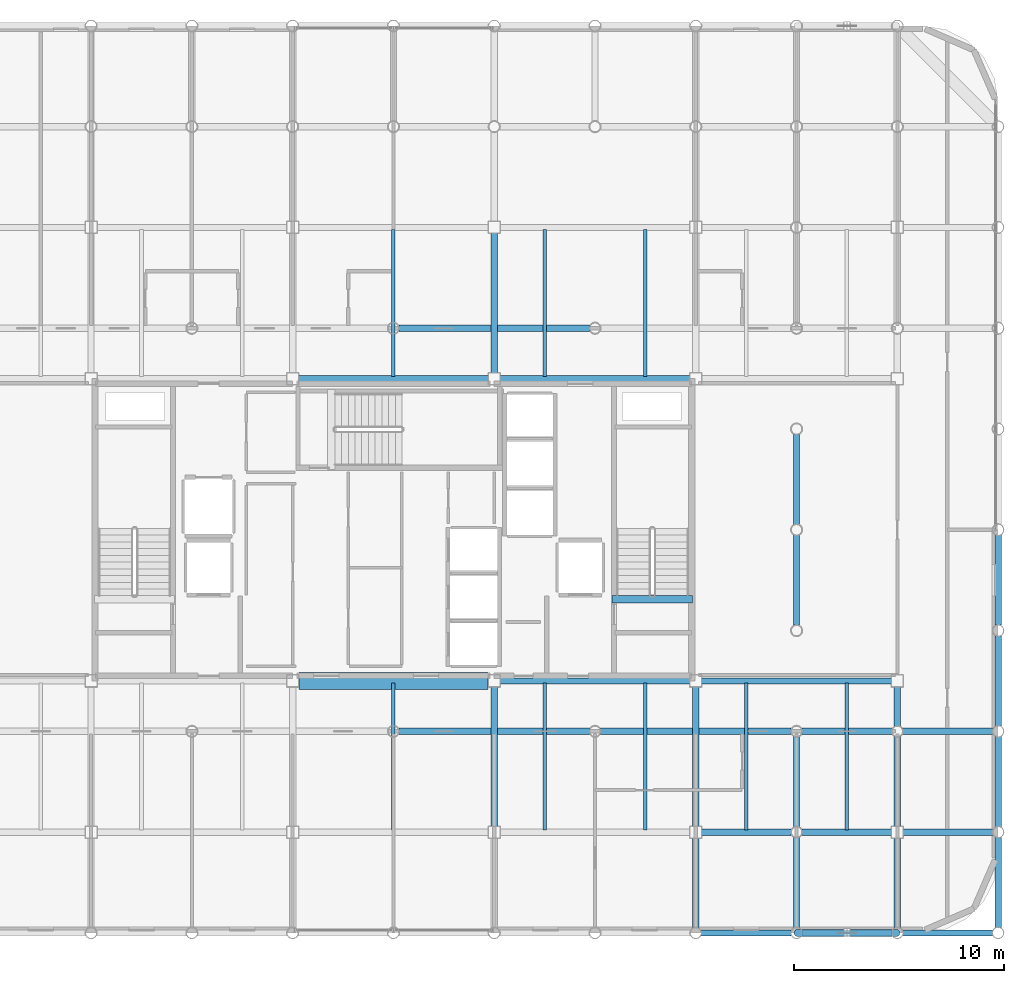
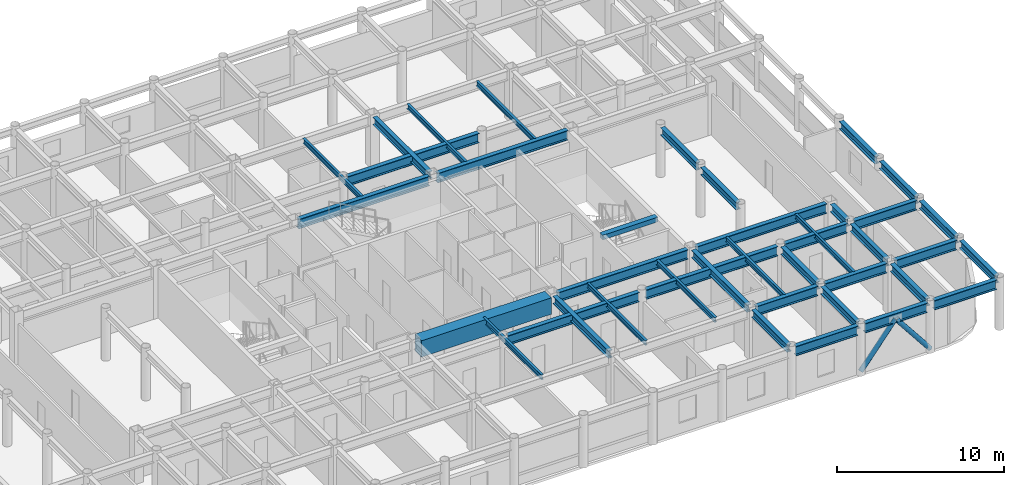
# One storey, part 9 of 22: 40 beams, 2 members.
"""IFC4 building model written with IfcOpenShell, lengths in metres."""

from ifc_helpers import new_model, si_unit, direction, frame, origin, origin_2d, place, context, subcontext, project, spatial, rectangle, hollow_circle, i_section, extrude, material, material_profile, profile_set, type_object, element, save


model = new_model("IFC4")

# Units and contexts
model_context = context("Model", 3, precision=1e-05, world=origin(), true_north=direction((0.0, 1.0)))
body_context = subcontext(model_context, "Body", "Model", "MODEL_VIEW")
ifc_project = project(units=[si_unit("LENGTHUNIT", "METRE"), si_unit("AREAUNIT", "SQUARE_METRE"), si_unit("VOLUMEUNIT", "CUBIC_METRE"), si_unit("PLANEANGLEUNIT", "RADIAN"), si_unit("MASSUNIT", "GRAM", prefix="KILO")], contexts=[model_context])

# Site, building, storey
site_placement = place(None, origin())
site = spatial("IfcSite", under=ifc_project, at=site_placement, CompositionType="ELEMENT")
building_placement = place(site_placement, origin())
building = spatial("IfcBuilding", under=site, at=building_placement, Name="Kallvorn Hotel Tower", CompositionType="ELEMENT")
storey_placement = place(building_placement, frame((0.0, 0.0, 256.949951171875)))
storey = spatial("IfcBuildingStorey", under=building, at=storey_placement, Name="L64", CompositionType="ELEMENT", Elevation=256.949951171875)

# Beams
ifc_material_1 = material(Name="Structural steel S355JR", Category="steel")
ifc_material_profile_1 = material_profile(ifc_material_1, i_section(OverallWidth=0.300048828125, OverallDepth=0.550048828125, WebThickness=0.014892578125, FlangeThickness=0.029052734375, at=origin_2d()), Name="HE 550 B")
ifc_profile_set_1 = profile_set([ifc_material_profile_1], Name="Structural steel S355JR")
beam_type_1 = type_object("IfcBeamType", Name="BM_HE550B", PredefinedType="SPANDREL", material=ifc_profile_set_1)
for number, where, z_axis, x_axis, name in (
    (1, (4.800048828125, -14.125, 3.39501953125), (0.0, 1.0, 0.0), (-1.0, 0.0, 0.0), "L65 Primary Y-Girder 115"),
    (2, (4.800048828125, 7.47509765625, 3.39501953125), (0.0, 1.0, 0.0), (-1.0, 0.0, 0.0), "L65 Primary Y-Girder 116"),
):
    element("IfcBeam", number, at=place(storey_placement, frame(where, z_axis=z_axis, x_axis=x_axis)), inside=storey, type_object=beam_type_1, Name=name, PredefinedType="SPANDREL", context=body_context, shape_type="SweptSolid", body=[
        extrude(i_section(OverallWidth=0.300048828125, OverallDepth=0.550048828125, WebThickness=0.014892578125, FlangeThickness=0.029052734375, at=origin_2d()), origin(), (0.0, 0.0, 1.0), 6.64990234375),
    ])
beam_1_placement = place(storey_placement, frame((14.39990234375, -18.945556640625, 3.39501953125), z_axis=(0.0, 1.0, 0.0), x_axis=(-1.0, 0.0, 0.0)))
element("IfcBeam", 3, at=beam_1_placement, inside=storey, type_object=beam_type_1, Name="L65 Primary Y-Girder 122", PredefinedType="SPANDREL", context=body_context, shape_type="SweptSolid", body=[
    extrude(i_section(OverallWidth=0.300048828125, OverallDepth=0.550048828125, WebThickness=0.014892578125, FlangeThickness=0.029052734375, at=origin_2d()), origin(), (0.0, 0.0, 1.0), 4.2705078125),
])
beam_2_placement = place(storey_placement, frame((14.39990234375, -14.125, 3.39501953125), z_axis=(0.0, 1.0, 0.0), x_axis=(-1.0, 0.0, 0.0)))
element("IfcBeam", 4, at=beam_2_placement, inside=storey, type_object=beam_type_1, Name="L65 Primary Y-Girder 123", PredefinedType="SPANDREL", context=body_context, shape_type="SweptSolid", body=[
    extrude(i_section(OverallWidth=0.300048828125, OverallDepth=0.550048828125, WebThickness=0.014892578125, FlangeThickness=0.029052734375, at=origin_2d()), origin(), (0.0, 0.0, 1.0), 6.64990234375),
])
for number, where, z_axis, x_axis, name in (
    (5, (19.199951171875, -18.945556640625, 3.39501953125), (0.0, 1.0, 0.0), (-1.0, 0.0, 0.0), "L65 Primary Y-Girder 127"),
    (6, (19.199951171875, -14.1455078125, 3.39501953125), (0.0, 1.0, 0.0), (-1.0, 0.0, 0.0), "L65 Primary Y-Girder 128"),
    (7, (19.199951171875, -4.54541015625, 3.39501953125), (0.0, 1.0, 0.0), (-1.0, 0.0, 0.0), "L65 Primary Y-Girder 130"),
    (8, (19.199951171875, 0.25439453125, 3.39501953125), (0.0, 1.0, 0.0), (-1.0, 0.0, 0.0), "L65 Primary Y-Girder 131"),
):
    element("IfcBeam", number, at=place(storey_placement, frame(where, z_axis=z_axis, x_axis=x_axis)), inside=storey, type_object=beam_type_1, Name=name, PredefinedType="SPANDREL", context=body_context, shape_type="SweptSolid", body=[
        extrude(i_section(OverallWidth=0.300048828125, OverallDepth=0.550048828125, WebThickness=0.014892578125, FlangeThickness=0.029052734375, at=origin_2d()), origin(), (0.0, 0.0, 1.0), 4.291015625),
    ])
for number, where, z_axis, x_axis, name in (
    (9, (24.0, -18.945556640625, 3.39501953125), (0.0, 1.0, 0.0), (-1.0, 0.0, 0.0), "L65 Primary Y-Girder 136"),
    (10, (24.0, -14.125, 3.39501953125), (0.0, 1.0, 0.0), (-1.0, 0.0, 0.0), "L65 Primary Y-Girder 137"),
):
    element("IfcBeam", number, at=place(storey_placement, frame(where, z_axis=z_axis, x_axis=x_axis)), inside=storey, type_object=beam_type_1, Name=name, PredefinedType="SPANDREL", context=body_context, shape_type="SweptSolid", body=[
        extrude(i_section(OverallWidth=0.300048828125, OverallDepth=0.550048828125, WebThickness=0.014892578125, FlangeThickness=0.029052734375, at=origin_2d()), origin(), (0.0, 0.0, 1.0), 4.2705078125),
    ])
beam_3_placement = place(storey_placement, frame((24.0, -9.345458984375, 3.39501953125), z_axis=(0.0, 1.0, 0.0), x_axis=(-1.0, 0.0, 0.0)))
element("IfcBeam", 11, at=beam_3_placement, inside=storey, type_object=beam_type_1, Name="L65 Primary Y-Girder 138", PredefinedType="SPANDREL", context=body_context, shape_type="SweptSolid", body=[
    extrude(i_section(OverallWidth=0.300048828125, OverallDepth=0.550048828125, WebThickness=0.014892578125, FlangeThickness=0.029052734375, at=origin_2d()), origin(), (0.0, 0.0, 1.0), 1.870361328125),
])
for number, where, z_axis, x_axis, name in (
    (12, (28.800048828125, -18.945556640625, 3.39501953125), (0.0, 1.0, 0.0), (-1.0, 0.0, 0.0), "L65 Primary Y-Girder 143"),
    (13, (28.800048828125, -14.1455078125, 3.39501953125), (0.0, 1.0, 0.0), (-1.0, 0.0, 0.0), "L65 Primary Y-Girder 144"),
    (14, (28.800048828125, -9.345458984375, 3.39501953125), (0.0, 1.0, 0.0), (-1.0, 0.0, 0.0), "L65 Primary Y-Girder 145"),
    (15, (28.800048828125, -4.54541015625, 3.39501953125), (0.0, 1.0, 0.0), (-1.0, 0.0, 0.0), "L65 Primary Y-Girder 146"),
):
    element("IfcBeam", number, at=place(storey_placement, frame(where, z_axis=z_axis, x_axis=x_axis)), inside=storey, type_object=beam_type_1, Name=name, PredefinedType="SPANDREL", context=body_context, shape_type="SweptSolid", body=[
        extrude(i_section(OverallWidth=0.300048828125, OverallDepth=0.550048828125, WebThickness=0.014892578125, FlangeThickness=0.029052734375, at=origin_2d()), origin(), (0.0, 0.0, 1.0), 4.291015625),
    ])
ifc_material_2 = material(Name="Structural steel S355JR", Category="steel")
ifc_material_profile_2 = material_profile(ifc_material_2, i_section(OverallWidth=0.300048828125, OverallDepth=0.699951171875, WebThickness=0.01708984375, FlangeThickness=0.031982421875, at=origin_2d()), Name="HE 700 B")
ifc_profile_set_2 = profile_set([ifc_material_profile_2], Name="Structural steel S355JR")
beam_type_2 = type_object("IfcBeamType", Name="BM_HE700B", PredefinedType="BEAM", material=ifc_profile_set_2)
for number, where, z_axis, x_axis, name in (
    (16, (14.654541015625, -19.199951171875, 3.320068359375), (1.0, 0.0, 0.0), (0.0, 1.0, 0.0), "L65 Primary X-Girder 10"),
    (17, (19.45458984375, -19.199951171875, 3.320068359375), (1.0, 0.0, 0.0), (0.0, 1.0, 0.0), "L65 Primary X-Girder 11"),
    (18, (24.25439453125, -19.199951171875, 3.320068359375), (1.0, 0.0, 0.0), (0.0, 1.0, 0.0), "L65 Primary X-Girder 12"),
):
    element("IfcBeam", number, at=place(storey_placement, frame(where, z_axis=z_axis, x_axis=x_axis)), inside=storey, type_object=beam_type_2, Name=name, PredefinedType="BEAM", context=body_context, shape_type="SweptSolid", body=[
        extrude(i_section(OverallWidth=0.300048828125, OverallDepth=0.699951171875, WebThickness=0.01708984375, FlangeThickness=0.031982421875, at=origin_2d()), origin(), (0.0, 0.0, 1.0), 4.291015625),
    ])
for number, where, z_axis, x_axis, name in (
    (19, (14.675048828125, -14.39990234375, 3.320068359375), (1.0, 0.0, 0.0), (0.0, 1.0, 0.0), "L65 Primary X-Girder 20"),
    (20, (19.45458984375, -14.39990234375, 3.320068359375), (1.0, 0.0, 0.0), (0.0, 1.0, 0.0), "L65 Primary X-Girder 21"),
    (21, (24.27490234375, -14.39990234375, 3.320068359375), (1.0, 0.0, 0.0), (0.0, 1.0, 0.0), "L65 Primary X-Girder 22"),
):
    element("IfcBeam", number, at=place(storey_placement, frame(where, z_axis=z_axis, x_axis=x_axis)), inside=storey, type_object=beam_type_2, Name=name, PredefinedType="BEAM", context=body_context, shape_type="SweptSolid", body=[
        extrude(i_section(OverallWidth=0.300048828125, OverallDepth=0.699951171875, WebThickness=0.01708984375, FlangeThickness=0.031982421875, at=origin_2d()), origin(), (0.0, 0.0, 1.0), 4.2705078125),
    ])
for number, where, z_axis, x_axis, name in (
    (22, (0.25439453125, -9.60009765625, 3.320068359375), (1.0, 0.0, 0.0), (0.0, 1.0, 0.0), "L65 Primary X-Girder 28"),
    (23, (9.8544921875, -9.60009765625, 3.320068359375), (1.0, 0.0, 0.0), (0.0, 1.0, 0.0), "L65 Primary X-Girder 29"),
):
    element("IfcBeam", number, at=place(storey_placement, frame(where, z_axis=z_axis, x_axis=x_axis)), inside=storey, type_object=beam_type_2, Name=name, PredefinedType="BEAM", context=body_context, shape_type="SweptSolid", body=[
        extrude(i_section(OverallWidth=0.300048828125, OverallDepth=0.699951171875, WebThickness=0.01708984375, FlangeThickness=0.031982421875, at=origin_2d()), origin(), (0.0, 0.0, 1.0), 9.091064453125),
    ])
for number, where, z_axis, x_axis, name in (
    (24, (19.45458984375, -9.60009765625, 3.320068359375), (1.0, 0.0, 0.0), (0.0, 1.0, 0.0), "L65 Primary X-Girder 30"),
    (25, (24.25439453125, -9.60009765625, 3.320068359375), (1.0, 0.0, 0.0), (0.0, 1.0, 0.0), "L65 Primary X-Girder 31"),
):
    element("IfcBeam", number, at=place(storey_placement, frame(where, z_axis=z_axis, x_axis=x_axis)), inside=storey, type_object=beam_type_2, Name=name, PredefinedType="BEAM", context=body_context, shape_type="SweptSolid", body=[
        extrude(i_section(OverallWidth=0.300048828125, OverallDepth=0.699951171875, WebThickness=0.01708984375, FlangeThickness=0.031982421875, at=origin_2d()), origin(), (0.0, 0.0, 1.0), 4.291015625),
    ])
for number, where, z_axis, x_axis, name in (
    (26, (5.074951171875, -7.199951171875, 3.320068359375), (1.0, 0.0, 0.0), (0.0, 1.0, 0.0), "L65 Primary X-Girder 34"),
    (27, (14.675048828125, -7.199951171875, 3.320068359375), (1.0, 0.0, 0.0), (0.0, 1.0, 0.0), "L65 Primary X-Girder 35"),
):
    element("IfcBeam", number, at=place(storey_placement, frame(where, z_axis=z_axis, x_axis=x_axis)), inside=storey, type_object=beam_type_2, Name=name, PredefinedType="BEAM", context=body_context, shape_type="SweptSolid", body=[
        extrude(i_section(OverallWidth=0.300048828125, OverallDepth=0.699951171875, WebThickness=0.01708984375, FlangeThickness=0.031982421875, at=origin_2d()), origin(), (0.0, 0.0, 1.0), 9.050048828125),
    ])
beam_4_placement = place(storey_placement, frame((-4.52490234375, 7.199951171875, 3.320068359375), z_axis=(1.0, 0.0, 0.0), x_axis=(0.0, 1.0, 0.0)))
element("IfcBeam", 28, at=beam_4_placement, inside=storey, type_object=beam_type_2, Name="L65 Primary X-Girder 38", PredefinedType="BEAM", context=body_context, shape_type="SweptSolid", body=[
    extrude(i_section(OverallWidth=0.300048828125, OverallDepth=0.699951171875, WebThickness=0.01708984375, FlangeThickness=0.031982421875, at=origin_2d()), origin(), (0.0, 0.0, 1.0), 9.0498046875),
])
beam_5_placement = place(storey_placement, frame((5.074951171875, 7.199951171875, 3.320068359375), z_axis=(1.0, 0.0, 0.0), x_axis=(0.0, 1.0, 0.0)))
element("IfcBeam", 29, at=beam_5_placement, inside=storey, type_object=beam_type_2, Name="L65 Primary X-Girder 39", PredefinedType="BEAM", context=body_context, shape_type="SweptSolid", body=[
    extrude(i_section(OverallWidth=0.300048828125, OverallDepth=0.699951171875, WebThickness=0.01708984375, FlangeThickness=0.031982421875, at=origin_2d()), origin(), (0.0, 0.0, 1.0), 9.050048828125),
])
beam_6_placement = place(storey_placement, frame((0.25439453125, 9.60009765625, 3.320068359375), z_axis=(1.0, 0.0, 0.0), x_axis=(0.0, 1.0, 0.0)))
element("IfcBeam", 30, at=beam_6_placement, inside=storey, type_object=beam_type_2, Name="L65 Primary X-Girder 46", PredefinedType="BEAM", context=body_context, shape_type="SweptSolid", body=[
    extrude(i_section(OverallWidth=0.300048828125, OverallDepth=0.699951171875, WebThickness=0.01708984375, FlangeThickness=0.031982421875, at=origin_2d()), origin(), (0.0, 0.0, 1.0), 9.091064453125),
])
ifc_material_3 = material(Name="Structural steel S355JR", Category="steel")
ifc_material_profile_3 = material_profile(ifc_material_3, i_section(OverallWidth=0.169921875, OverallDepth=0.360107421875, WebThickness=0.008056640625, FlangeThickness=0.0126953125, at=origin_2d()), Name="IPE 360")
ifc_profile_set_3 = profile_set([ifc_material_profile_3], Name="Structural steel S355JR")
beam_type_3 = type_object("IfcBeamType", Name="BM_IPE360", PredefinedType="JOIST", material=ifc_profile_set_3)
for number, where, z_axis, x_axis, name in (
    (31, (0.0, -14.300048828125, 3.489990234375), (0.0, 1.0, 0.0), (-1.0, 0.0, 0.0), "L65 Secondary Composite Joist 200"),
    (32, (0.0, 7.300048828125, 3.489990234375), (0.0, 1.0, 0.0), (-1.0, 0.0, 0.0), "L65 Secondary Composite Joist 201"),
    (33, (7.199951171875, -14.300048828125, 3.489990234375), (0.0, 1.0, 0.0), (-1.0, 0.0, 0.0), "L65 Secondary Composite Joist 202"),
    (34, (7.199951171875, 7.300048828125, 3.489990234375), (0.0, 1.0, 0.0), (-1.0, 0.0, 0.0), "L65 Secondary Composite Joist 203"),
    (35, (12.0, -14.300048828125, 3.489990234375), (0.0, 1.0, 0.0), (-1.0, 0.0, 0.0), "L65 Secondary Composite Joist 204"),
    (36, (12.0, 7.300048828125, 3.489990234375), (0.0, 1.0, 0.0), (-1.0, 0.0, 0.0), "L65 Secondary Composite Joist 205"),
    (37, (16.800048828125, -14.300048828125, 3.489990234375), (0.0, 1.0, 0.0), (-1.0, 0.0, 0.0), "L65 Secondary Composite Joist 206"),
    (38, (21.60009765625, -14.300048828125, 3.489990234375), (0.0, 1.0, 0.0), (-1.0, 0.0, 0.0), "L65 Secondary Composite Joist 208"),
):
    element("IfcBeam", number, at=place(storey_placement, frame(where, z_axis=z_axis, x_axis=x_axis)), inside=storey, type_object=beam_type_3, Name=name, PredefinedType="JOIST", context=body_context, shape_type="SweptSolid", body=[
        extrude(i_section(OverallWidth=0.169921875, OverallDepth=0.360107421875, WebThickness=0.008056640625, FlangeThickness=0.0126953125, at=origin_2d()), origin(), (0.0, 0.0, 1.0), 7.0),
    ])
ifc_material_4 = material(Name="Concrete C50/60", Category="concrete")
ifc_material_profile_4 = material_profile(ifc_material_4, rectangle(XDim=0.360107421875, YDim=0.340087890625, at=origin_2d()), Name="RC 360x340")
ifc_profile_set_4 = profile_set([ifc_material_profile_4], Name="Concrete C50/60")
beam_type_4 = type_object("IfcBeamType", Name="BM_RC_400x360", PredefinedType="BEAM", material=ifc_profile_set_4)
beam_7_placement = place(storey_placement, frame((14.239990234375, -3.31005859375, 3.5), z_axis=(-1.0, 0.0, 0.0), x_axis=(0.0, -1.0, 0.0)))
element("IfcBeam", 39, at=beam_7_placement, inside=storey, type_object=beam_type_4, Name="L65 Stair ST2 Arrival Trimmer Beam", PredefinedType="BEAM", context=body_context, shape_type="SweptSolid", body=[
    extrude(rectangle(XDim=0.360107421875, YDim=0.340087890625, at=origin_2d()), origin(), (0.0, 0.0, 1.0), 3.820068359375),
])
ifc_material_5 = material(Name="Concrete C50/60", Category="concrete")
ifc_material_profile_5 = material_profile(ifc_material_5, rectangle(XDim=0.800048828125, YDim=1.199951171875, at=origin_2d()), Name="RC 800x1200")
ifc_profile_set_5 = profile_set([ifc_material_profile_5], Name="Concrete C50/60")
beam_type_5 = type_object("IfcBeamType", Name="BM_RC_800x1200", PredefinedType="T_BEAM", material=ifc_profile_set_5)
beam_8_placement = place(storey_placement, frame((-4.5, -7.199951171875, 3.070068359375), z_axis=(1.0, 0.0, 0.0), x_axis=(0.0, 1.0, 0.0)))
element("IfcBeam", 40, at=beam_8_placement, inside=storey, type_object=beam_type_5, Name="L64 Core Coupling Beam South", PredefinedType="T_BEAM", context=body_context, shape_type="SweptSolid", body=[
    extrude(rectangle(XDim=0.800048828125, YDim=1.199951171875, at=origin_2d()), origin(), (0.0, 0.0, 1.0), 9.0),
])

# Members
ifc_material_6 = material(Name="Structural steel S355J2H", Category="steel")
ifc_material_profile_6 = material_profile(ifc_material_6, hollow_circle(Radius=0.161865234375, WallThickness=0.012451171875, at=origin_2d()), Name="CHS 323.9x12.5")
ifc_profile_set_6 = profile_set([ifc_material_profile_6], Name="Structural steel S355J2H")
member_type = type_object("IfcMemberType", Name="MBR_EXO_CHS323", PredefinedType="BRACE", material=ifc_profile_set_6)
for number, where, z_axis, x_axis, name in (
    (41, (19.21240234375, -19.199951171875, 0.19580078125), (0.620928510901, 0.0, 0.783867198159), (0.0, 1.0, 0.0), "L64 Exoskeleton K-Brace S2A"),
    (42, (23.987548828125, -19.199951171875, 0.19580078125), (-0.620928510901, 0.0, 0.783867198159), (0.0, -1.0, 0.0), "L64 Exoskeleton K-Brace S2B"),
):
    element("IfcMember", number, at=place(storey_placement, frame(where, z_axis=z_axis, x_axis=x_axis)), inside=storey, type_object=member_type, Name=name, PredefinedType="BRACE", context=body_context, shape_type="SweptSolid", body=[
        extrude(hollow_circle(Radius=0.161865234375, WallThickness=0.012451171875, at=origin_2d()), origin(), (0.0, 0.0, 1.0), 3.8251953125),
    ])

save(model, "model.ifc")
